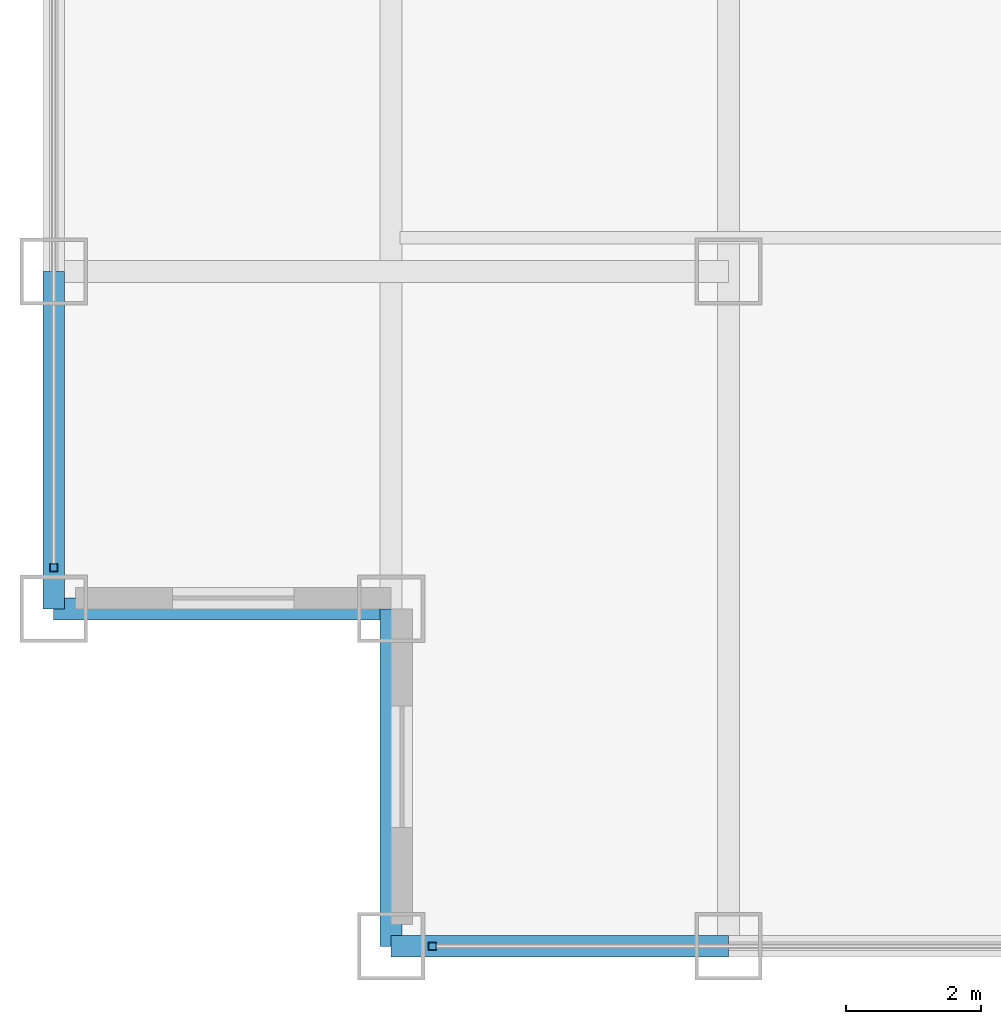
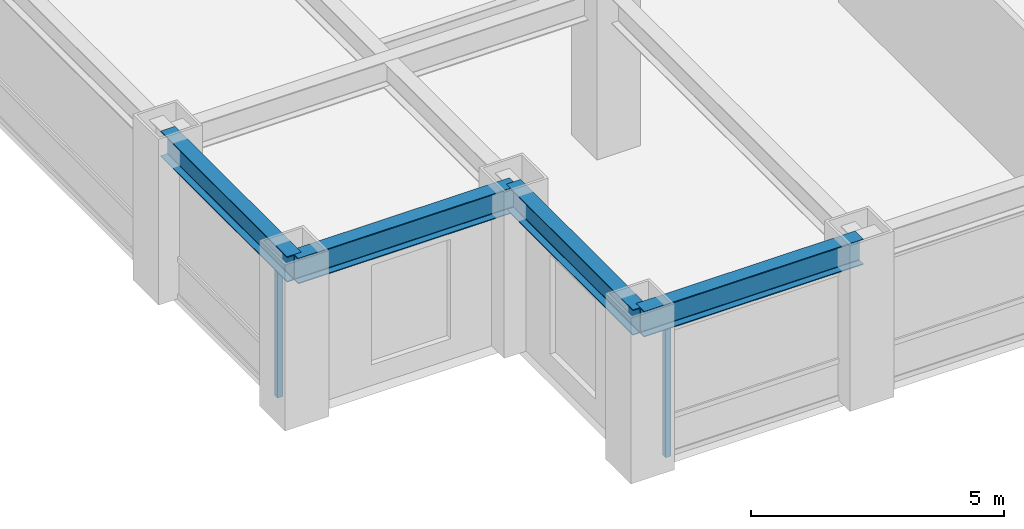
# One storey, part 2 of 25: 4 beams, 2 members, 2 elements without a shape of their own.
"""IFC4 building model written with IfcOpenShell, lengths in metres."""

from ifc_helpers import new_model, si_unit, direction, frame, origin, origin_2d, place, context, subcontext, project, spatial, hollow_rectangle, i_section, extrude, source, transform, mapped, material, material_profile, profile_set, type_object, element, aggregate, save


model = new_model("IFC4")

# Units and contexts
model_context = context("Model", 3, precision=1e-05, world=origin(), true_north=direction((0.0, 1.0)))
body_context = subcontext(model_context, "Body", "Model", "MODEL_VIEW")
ifc_project = project(units=[si_unit("LENGTHUNIT", "METRE"), si_unit("AREAUNIT", "SQUARE_METRE"), si_unit("VOLUMEUNIT", "CUBIC_METRE"), si_unit("PLANEANGLEUNIT", "RADIAN"), si_unit("MASSUNIT", "GRAM", prefix="KILO")], contexts=[model_context])

# Site, building, storey
site_placement = place(None, origin())
site = spatial("IfcSite", under=ifc_project, at=site_placement, CompositionType="ELEMENT")
building_placement = place(site_placement, origin())
building = spatial("IfcBuilding", under=site, at=building_placement, Name="Khorayat Bourse Tower", CompositionType="ELEMENT")
storey_placement = place(building_placement, frame((0.0, 0.0, 247.10009765625)))
storey = spatial("IfcBuildingStorey", under=building, at=storey_placement, Name="L58", CompositionType="ELEMENT", Elevation=247.10009765625)

# Beams
ifc_material_1 = material(Name="Steel ASTM A992 Grade 50", Category="steel")
ifc_material_profile_1 = material_profile(ifc_material_1, i_section(OverallWidth=0.324951171875, OverallDepth=0.615966796875, WebThickness=0.013916015625, FlangeThickness=0.021484375, FilletRadius=0.01611328125, at=origin_2d()), Name="W610X174")
ifc_profile_set_1 = profile_set([ifc_material_profile_1], Name="Steel ASTM A992 Grade 50")
beam_type = type_object("IfcBeamType", Name="BM-SPAN-610", PredefinedType="SPANDREL", material=ifc_profile_set_1)
shared_shape_1 = source(origin(), body_context, "Body", "SweptSolid", [
    extrude(i_section(OverallWidth=0.324951171875, OverallDepth=0.615966796875, WebThickness=0.013916015625, FlangeThickness=0.021484375, FilletRadius=0.01611328125, at=origin_2d()), origin(), (0.0, 0.0, 1.0), 5.0),
])
for number, where, z_axis, x_axis, name in (
    (1, (-25.0, -30.0, 3.471923828125), (1.0, 0.0, 0.0), (0.0, 1.0, 0.0), "L58 BM-SPAN-610 BM-L58-SPN-024"),
    (2, (-30.0, -25.0, 3.471923828125), (0.0, 1.0, 0.0), (-1.0, 0.0, 0.0), "L58 BM-SPAN-610 BM-L58-SPN-061"),
    (3, (-30.0, -25.0, 3.471923828125), (1.0, 0.0, 0.0), (0.0, 1.0, 0.0), "L58 BM-SPAN-610 BM-L58-SPN-062"),
    (4, (-25.0, -30.0, 3.471923828125), (0.0, 1.0, 0.0), (-1.0, 0.0, 0.0), "L58 BM-SPAN-610 BM-L58-SPN-063"),
):
    element("IfcBeam", number, at=place(storey_placement, frame(where, z_axis=z_axis, x_axis=x_axis)), inside=storey, type_object=beam_type, Name=name, PredefinedType="SPANDREL", context=body_context, shape_type="MappedRepresentation", body=[
        mapped(shared_shape_1, transform((0.0, 0.0, 0.0), scale=1.0)),
    ])

# Curtain wall, member
ifc_material_2 = material(Name="Aluminium EN AW-6063 T6", Category="aluminium")
curtain_wall_type = type_object("IfcCurtainWallType", Name="CW-SYS-03", PredefinedType="NOTDEFINED", material=ifc_material_2)
curtain_wall_1_placement = place(storey_placement, origin())
curtain_wall_1 = element("IfcCurtainWall", 5, at=curtain_wall_1_placement, inside=storey, type_object=curtain_wall_type, Name="L58 Curtain Wall CW-L58-S1", PredefinedType="NOTDEFINED")
ifc_material_profile_2 = material_profile(ifc_material_2, hollow_rectangle(XDim=0.1201171875, YDim=0.1201171875, WallThickness=0.0048828125, at=origin_2d()), Name="ALU 120x120x5")
ifc_profile_set_2 = profile_set([ifc_material_profile_2], Name="Aluminium EN AW-6063 T6")
member_type = type_object("IfcMemberType", Name="CWM-VERT-120", PredefinedType="MULLION", material=ifc_profile_set_2)
shared_shape_2 = source(origin(), body_context, "Body", "SweptSolid", [
    extrude(hollow_rectangle(XDim=0.1201171875, YDim=0.1201171875, WallThickness=0.0048828125, at=origin_2d()), origin(), (0.0, 0.0, 1.0), 3.1298828125),
])
member_1_placement = place(storey_placement, frame((-24.389892578125, -30.0, 0.0), z_axis=(0.0, 0.0, 1.0), x_axis=(0.0, 1.0, 0.0)))
member_1 = element("IfcMember", 6, at=member_1_placement, type_object=member_type, Name="CW-L58-S1 Vertical Mullion 1", PredefinedType="MULLION", context=body_context, shape_type="MappedRepresentation", body=[
    mapped(shared_shape_2, transform((0.0, 0.0, 0.0), scale=1.0)),
])
aggregate(curtain_wall_1, [member_1])

curtain_wall_2_placement = place(storey_placement, origin())
curtain_wall_2 = element("IfcCurtainWall", 7, at=curtain_wall_2_placement, inside=storey, type_object=curtain_wall_type, Name="L58 Curtain Wall CW-L58-W1", PredefinedType="NOTDEFINED")
member_2_placement = place(storey_placement, frame((-30.0, -24.389892578125, 0.0), z_axis=(0.0, 0.0, 1.0), x_axis=(-1.0, 0.0, 0.0)))
member_2 = element("IfcMember", 8, at=member_2_placement, type_object=member_type, Name="CW-L58-W1 Vertical Mullion 1", PredefinedType="MULLION", context=body_context, shape_type="MappedRepresentation", body=[
    mapped(shared_shape_2, transform((0.0, 0.0, 0.0), scale=1.0)),
])
aggregate(curtain_wall_2, [member_2])

save(model, "model.ifc")
